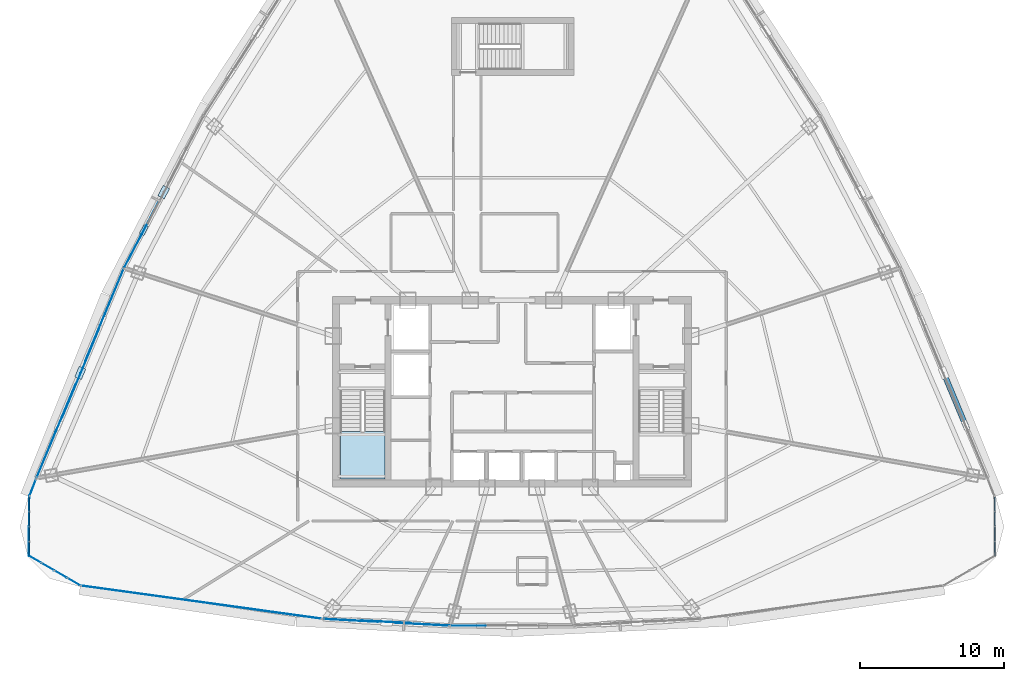
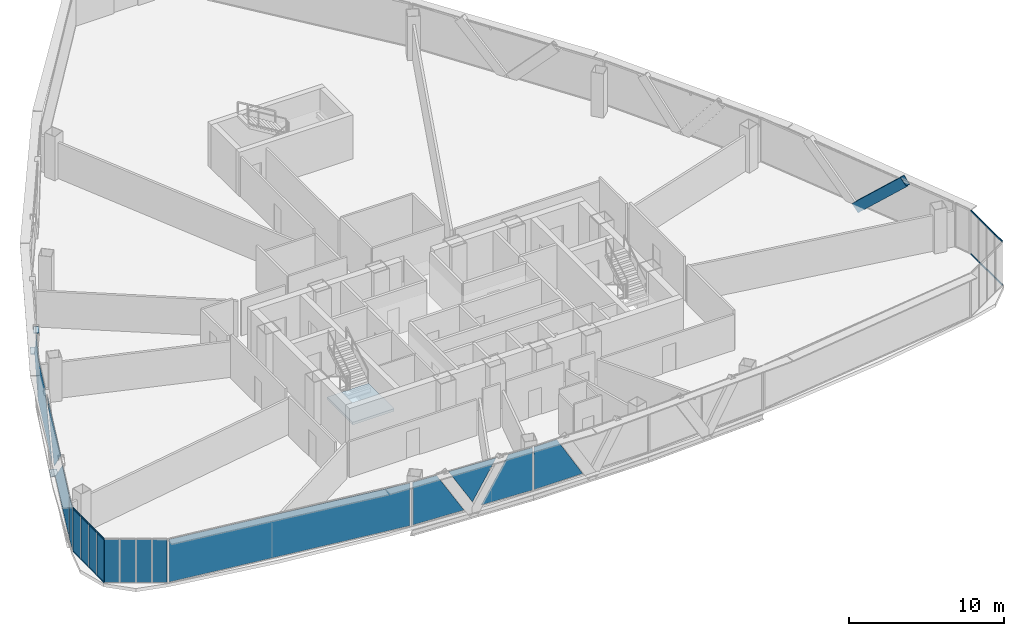
# One storey, part 26 of 36: 21 plates, 17 members, 1 slab, 10 elements without a shape of their own.
"""IFC4 building model written with IfcOpenShell, lengths in metres."""

from ifc_helpers import new_model, si_unit, direction, frame, origin, origin_2d, place, context, subcontext, project, spatial, polyline, rectangle, hollow_rectangle, outline, extrude, source, transform, mapped, material, layer, layer_set, material_profile, profile_set, type_object, element, aggregate, save


model = new_model("IFC4")

# Units and contexts
model_context = context("Model", 3, precision=1e-05, world=origin(), true_north=direction((0.0, 1.0)))
body_context = subcontext(model_context, "Body", "Model", "MODEL_VIEW")
ifc_project = project(units=[si_unit("LENGTHUNIT", "METRE"), si_unit("AREAUNIT", "SQUARE_METRE"), si_unit("VOLUMEUNIT", "CUBIC_METRE"), si_unit("PLANEANGLEUNIT", "RADIAN"), si_unit("MASSUNIT", "GRAM", prefix="KILO"), si_unit("THERMODYNAMICTEMPERATUREUNIT", "KELVIN"), si_unit("POWERUNIT", "WATT")], contexts=[model_context])

# Site, building, storey
site_placement = place(None, origin())
site = spatial("IfcSite", under=ifc_project, at=site_placement, CompositionType="ELEMENT")
building_placement = place(site_placement, origin())
building = spatial("IfcBuilding", under=site, at=building_placement, Name="Yunzhuo Pagoda Commons", CompositionType="ELEMENT")
storey_placement = place(building_placement, frame((0.0, 0.0, 263.179931640625)))
storey = spatial("IfcBuildingStorey", under=building, at=storey_placement, Name="L66", CompositionType="ELEMENT", Elevation=263.179931640625)

# Member
ifc_material_1 = material(Name="Structural steel Q355B", Category="steel")
ifc_material_profile_1 = material_profile(ifc_material_1, hollow_rectangle(XDim=0.3798828125, YDim=0.719970703125, WallThickness=0.02001953125, at=origin_2d()), Name="Structural steel Q355B")
ifc_profile_set_1 = profile_set([ifc_material_profile_1], Name="Structural steel Q355B")
member_type_1 = type_object("IfcMemberType", Name="M-DL3 Brace BOX 720x380x20", PredefinedType="BRACE", material=ifc_profile_set_1)
shared_shape_1 = source(origin(), body_context, "Body", "SweptSolid", [
    extrude(hollow_rectangle(XDim=0.3798828125, YDim=0.719970703125, WallThickness=0.02001953125, at=origin_2d()), origin(), (0.0, 0.0, 1.0), 5.427001953125),
])
member_1_placement = place(storey_placement, frame((77.9326171875, 35.1630859375, -0.260009765625), z_axis=(0.279718465319, -0.670370628849, 0.687285093783), x_axis=(0.922882586681, 0.385081460474, 0.0)))
element("IfcMember", 1, at=member_1_placement, inside=storey, type_object=member_type_1, Name="L66 facade diamond brace F2.1L", PredefinedType="BRACE", context=body_context, shape_type="MappedRepresentation", body=[
    mapped(shared_shape_1, transform((0.0, 0.0, 0.0), scale=1.0)),
])

# Curtain wall, members
ifc_material_2 = material(Name="Anodized aluminium 6063-T6", Category="aluminium")
ifc_layer_1 = layer(ifc_material_2, 0.1298828125)
ifc_layer_set_1 = layer_set([ifc_layer_1], Name="Anodized aluminium 6063-T6")
curtain_wall_type_1 = type_object("IfcCurtainWallType", Name="CW-VTX Rounded Corner Curtain Wall", PredefinedType="NOTDEFINED", material=ifc_layer_set_1)
curtain_wall_1_placement = place(storey_placement, origin())
curtain_wall_1 = element("IfcCurtainWall", 2, at=curtain_wall_1_placement, inside=storey, type_object=curtain_wall_type_1, Name="L66 curtain wall CW-L66-VTX1S1", PredefinedType="NOTDEFINED")
ifc_material_profile_2 = material_profile(ifc_material_2, hollow_rectangle(XDim=0.054931640625, YDim=0.1201171875, WallThickness=0.00341796875, at=origin_2d()), Name="Anodized aluminium 6063-T6")
ifc_profile_set_2 = profile_set([ifc_material_profile_2], Name="Anodized aluminium 6063-T6")
member_type_2 = type_object("IfcMemberType", Name="CW-VTX-T Transom RHS 120x55x3.5", PredefinedType="USERDEFINED", material=ifc_profile_set_2)
shared_shape_2 = source(origin(), body_context, "Body", "SweptSolid", [
    extrude(hollow_rectangle(XDim=0.054931640625, YDim=0.1201171875, WallThickness=0.00341796875, at=origin_2d()), origin(), (0.0, 0.0, 1.0), 0.95556640625),
])
member_2_placement = place(storey_placement, frame((14.533447265625, 26.53271484375, 0.02783203125), z_axis=(-0.003576880542, -0.999993602942, 0.0), x_axis=(0.999993602942, -0.003576880542, 0.0)))
member_2 = element("IfcMember", 3, at=member_2_placement, type_object=member_type_2, Name="CW transom 1.1", ObjectType="TRANSOM", PredefinedType="USERDEFINED", context=body_context, shape_type="MappedRepresentation", body=[
    mapped(shared_shape_2, transform((0.0, 0.0, 0.0), scale=1.0)),
])
member_3_placement = place(storey_placement, frame((14.533447265625, 26.53271484375, 3.442626953125), z_axis=(-0.003576880542, -0.999993602942, 0.0), x_axis=(0.999993602942, -0.003576880542, 0.0)))
member_3 = element("IfcMember", 4, at=member_3_placement, type_object=member_type_2, Name="CW transom 1.2", ObjectType="TRANSOM", PredefinedType="USERDEFINED", context=body_context, shape_type="MappedRepresentation", body=[
    mapped(shared_shape_2, transform((0.0, 0.0, 0.0), scale=1.0)),
])

curtain_wall_2_placement = place(storey_placement, origin())
curtain_wall_2 = element("IfcCurtainWall", 5, at=curtain_wall_2_placement, inside=storey, type_object=curtain_wall_type_1, Name="L66 curtain wall CW-L66-VTX2S2", PredefinedType="NOTDEFINED")
member_4_placement = place(storey_placement, frame((81.469970703125, 25.5771484375, 0.02783203125), z_axis=(-0.003576880542, 0.999993602942, 0.0), x_axis=(-0.999993602942, -0.003576880542, 0.0)))
member_4 = element("IfcMember", 6, at=member_4_placement, type_object=member_type_2, Name="CW transom 4.1", ObjectType="TRANSOM", PredefinedType="USERDEFINED", context=body_context, shape_type="MappedRepresentation", body=[
    mapped(shared_shape_2, transform((0.0, 0.0, 0.0), scale=1.0)),
])
member_5_placement = place(storey_placement, frame((81.469970703125, 25.5771484375, 3.442626953125), z_axis=(-0.003576880542, 0.999993602942, 0.0), x_axis=(-0.999993602942, -0.003576880542, 0.0)))
member_5 = element("IfcMember", 7, at=member_5_placement, type_object=member_type_2, Name="CW transom 4.2", ObjectType="TRANSOM", PredefinedType="USERDEFINED", context=body_context, shape_type="MappedRepresentation", body=[
    mapped(shared_shape_2, transform((0.0, 0.0, 0.0), scale=1.0)),
])

# Member
shared_shape_3 = source(origin(), body_context, "Body", "SweptSolid", [
    extrude(hollow_rectangle(XDim=0.054931640625, YDim=0.1201171875, WallThickness=0.00341796875, at=origin_2d()), origin(), (0.0, 0.0, 1.0), 0.983154296875),
])
member_6_placement = place(storey_placement, frame((14.52978515625, 25.52197265625, 0.02783203125), z_axis=(-0.003476512391, -0.999993956913, 0.0), x_axis=(0.999993956913, -0.003476512391, 0.0)))
member_6 = element("IfcMember", 8, at=member_6_placement, type_object=member_type_2, Name="CW transom 2.1", ObjectType="TRANSOM", PredefinedType="USERDEFINED", context=body_context, shape_type="MappedRepresentation", body=[
    mapped(shared_shape_3, transform((0.0, 0.0, 0.0), scale=1.0)),
])

member_7_placement = place(storey_placement, frame((14.52978515625, 25.52197265625, 3.442626953125), z_axis=(-0.003476512391, -0.999993956913, 0.0), x_axis=(0.999993956913, -0.003476512391, 0.0)))
member_7 = element("IfcMember", 9, at=member_7_placement, type_object=member_type_2, Name="CW transom 2.2", ObjectType="TRANSOM", PredefinedType="USERDEFINED", context=body_context, shape_type="MappedRepresentation", body=[
    mapped(shared_shape_3, transform((0.0, 0.0, 0.0), scale=1.0)),
])

member_8_placement = place(storey_placement, frame((81.4736328125, 24.538818359375, 0.02783203125), z_axis=(-0.003476512391, 0.999993956913, 0.0), x_axis=(-0.999993956913, -0.003476512391, 0.0)))
member_8 = element("IfcMember", 10, at=member_8_placement, type_object=member_type_2, Name="CW transom 3.1", ObjectType="TRANSOM", PredefinedType="USERDEFINED", context=body_context, shape_type="MappedRepresentation", body=[
    mapped(shared_shape_3, transform((0.0, 0.0, 0.0), scale=1.0)),
])

member_9_placement = place(storey_placement, frame((81.4736328125, 24.538818359375, 3.442626953125), z_axis=(-0.003476512391, 0.999993956913, 0.0), x_axis=(-0.999993956913, -0.003476512391, 0.0)))
member_9 = element("IfcMember", 11, at=member_9_placement, type_object=member_type_2, Name="CW transom 3.2", ObjectType="TRANSOM", PredefinedType="USERDEFINED", context=body_context, shape_type="MappedRepresentation", body=[
    mapped(shared_shape_3, transform((0.0, 0.0, 0.0), scale=1.0)),
])

shared_shape_4 = source(origin(), body_context, "Body", "SweptSolid", [
    extrude(hollow_rectangle(XDim=0.054931640625, YDim=0.1201171875, WallThickness=0.00341796875, at=origin_2d()), origin(), (0.0, 0.0, 1.0), 0.9833984375),
])
member_10_placement = place(storey_placement, frame((14.526123046875, 24.48388671875, 0.02783203125), z_axis=(-0.003723906652, -0.999993066236, 0.0), x_axis=(0.999993066236, -0.003723906652, 0.0)))
member_10 = element("IfcMember", 12, at=member_10_placement, type_object=member_type_2, Name="CW transom 3.1", ObjectType="TRANSOM", PredefinedType="USERDEFINED", context=body_context, shape_type="MappedRepresentation", body=[
    mapped(shared_shape_4, transform((0.0, 0.0, 0.0), scale=1.0)),
])

member_11_placement = place(storey_placement, frame((14.526123046875, 24.48388671875, 3.442626953125), z_axis=(-0.003723906652, -0.999993066236, 0.0), x_axis=(0.999993066236, -0.003723906652, 0.0)))
member_11 = element("IfcMember", 13, at=member_11_placement, type_object=member_type_2, Name="CW transom 3.2", ObjectType="TRANSOM", PredefinedType="USERDEFINED", context=body_context, shape_type="MappedRepresentation", body=[
    mapped(shared_shape_4, transform((0.0, 0.0, 0.0), scale=1.0)),
])

member_12_placement = place(storey_placement, frame((81.4775390625, 23.50048828125, 0.02783203125), z_axis=(-0.003723906652, 0.999993066236, 0.0), x_axis=(-0.999993066236, -0.003723906652, 0.0)))
member_12 = element("IfcMember", 14, at=member_12_placement, type_object=member_type_2, Name="CW transom 2.1", ObjectType="TRANSOM", PredefinedType="USERDEFINED", context=body_context, shape_type="MappedRepresentation", body=[
    mapped(shared_shape_4, transform((0.0, 0.0, 0.0), scale=1.0)),
])

member_13_placement = place(storey_placement, frame((81.4775390625, 23.50048828125, 3.442626953125), z_axis=(-0.003723906652, 0.999993066236, 0.0), x_axis=(-0.999993066236, -0.003723906652, 0.0)))
member_13 = element("IfcMember", 15, at=member_13_placement, type_object=member_type_2, Name="CW transom 2.2", ObjectType="TRANSOM", PredefinedType="USERDEFINED", context=body_context, shape_type="MappedRepresentation", body=[
    mapped(shared_shape_4, transform((0.0, 0.0, 0.0), scale=1.0)),
])

shared_shape_5 = source(origin(), body_context, "Body", "SweptSolid", [
    extrude(hollow_rectangle(XDim=0.054931640625, YDim=0.1201171875, WallThickness=0.00341796875, at=origin_2d()), origin(), (0.0, 0.0, 1.0), 0.955810546875),
])
member_14_placement = place(storey_placement, frame((14.522216796875, 23.445556640625, 0.02783203125), z_axis=(-0.003575966919, -0.99999360621, 0.0), x_axis=(0.99999360621, -0.003575966919, 0.0)))
member_14 = element("IfcMember", 16, at=member_14_placement, type_object=member_type_2, Name="CW transom 4.1", ObjectType="TRANSOM", PredefinedType="USERDEFINED", context=body_context, shape_type="MappedRepresentation", body=[
    mapped(shared_shape_5, transform((0.0, 0.0, 0.0), scale=1.0)),
])

member_15_placement = place(storey_placement, frame((14.522216796875, 23.445556640625, 3.442626953125), z_axis=(-0.003575966919, -0.99999360621, 0.0), x_axis=(0.99999360621, -0.003575966919, 0.0)))
member_15 = element("IfcMember", 17, at=member_15_placement, type_object=member_type_2, Name="CW transom 4.2", ObjectType="TRANSOM", PredefinedType="USERDEFINED", context=body_context, shape_type="MappedRepresentation", body=[
    mapped(shared_shape_5, transform((0.0, 0.0, 0.0), scale=1.0)),
])

member_16_placement = place(storey_placement, frame((81.481201171875, 22.48974609375, 0.02783203125), z_axis=(-0.003575966919, 0.99999360621, 0.0), x_axis=(-0.99999360621, -0.003575966919, 0.0)))
member_16 = element("IfcMember", 18, at=member_16_placement, type_object=member_type_2, Name="CW transom 1.1", ObjectType="TRANSOM", PredefinedType="USERDEFINED", context=body_context, shape_type="MappedRepresentation", body=[
    mapped(shared_shape_5, transform((0.0, 0.0, 0.0), scale=1.0)),
])

member_17_placement = place(storey_placement, frame((81.481201171875, 22.48974609375, 3.442626953125), z_axis=(-0.003575966919, 0.99999360621, 0.0), x_axis=(-0.99999360621, -0.003575966919, 0.0)))
member_17 = element("IfcMember", 19, at=member_17_placement, type_object=member_type_2, Name="CW transom 1.2", ObjectType="TRANSOM", PredefinedType="USERDEFINED", context=body_context, shape_type="MappedRepresentation", body=[
    mapped(shared_shape_5, transform((0.0, 0.0, 0.0), scale=1.0)),
])

aggregate(curtain_wall_2, [member_16, member_17, member_12, member_13, member_8, member_9, member_4, member_5])

# Curtain wall, plates
ifc_layer_2 = layer(ifc_material_2, 0.139892578125)
ifc_layer_set_2 = layer_set([ifc_layer_2], Name="Anodized aluminium 6063-T6")
curtain_wall_type_2 = type_object("IfcCurtainWallType", Name="CW-HI High-Zone Ribbon Curtain Wall", PredefinedType="NOTDEFINED", material=ifc_layer_set_2)
curtain_wall_3_placement = place(storey_placement, origin())
curtain_wall_3 = element("IfcCurtainWall", 20, at=curtain_wall_3_placement, inside=storey, type_object=curtain_wall_type_2, Name="L66 curtain wall CW-L66-F1B2", PredefinedType="NOTDEFINED")
ifc_material_3 = material(Name="Tempered low-e double glazing", Category="glass")
ifc_layer_3 = layer(ifc_material_3, 0.02587890625)
ifc_layer_set_3 = layer_set([ifc_layer_3], Name="Tempered low-e double glazing")
plate_type_1 = type_object("IfcPlateType", Name="CW-HI-P Low-E Double Glazing 26", PredefinedType="CURTAIN_PANEL", material=ifc_layer_set_3)
plate_1_placement = place(storey_placement, frame((36.830322265625, 18.02099609375, 1.735107421875), z_axis=(-0.053427477858, -0.998571732331, 0.0), x_axis=(0.998571732331, -0.053427477858, 0.0)))
plate_1 = element("IfcPlate", 21, at=plate_1_placement, type_object=plate_type_1, Name="CW panel 1.1 lite 1", PredefinedType="CURTAIN_PANEL", context=body_context, shape_type="SweptSolid", body=[
    extrude(outline(polyline([(-1.8544921875, -1.679931640625), (1.8544921875, -1.679931640625), (-0.125244140625, 1.679931640625), (-1.8544921875, 1.679931640625), (-1.8544921875, -1.679931640625)])), origin(), (0.0, 0.0, 1.0), 0.028076171875),
])
plate_2_placement = place(storey_placement, frame((39.3095703125, 17.91845703125, 1.951904296875), z_axis=(-0.053427477858, -0.998571732331, 0.0), x_axis=(0.998571732331, -0.053427477858, 0.0)))
plate_2 = element("IfcPlate", 22, at=plate_2_placement, type_object=plate_type_1, Name="CW panel 1.1 lite 2", PredefinedType="CURTAIN_PANEL", context=body_context, shape_type="SweptSolid", body=[
    extrude(outline(polyline([(-1.724365234375, 1.46337890625), (0.0, -1.46337890625), (1.724365234375, 1.46337890625), (-1.724365234375, 1.46337890625)])), origin(), (0.0, 0.0, 1.0), 0.028076171875),
])
plate_3_placement = place(storey_placement, frame((41.78564453125, 17.755859375, 1.735107421875), z_axis=(-0.053427477858, -0.998571732331, 0.0), x_axis=(0.998571732331, -0.053427477858, 0.0)))
plate_3 = element("IfcPlate", 23, at=plate_3_placement, type_object=plate_type_1, Name="CW panel 1.1 lite 3", PredefinedType="CURTAIN_PANEL", context=body_context, shape_type="SweptSolid", body=[
    extrude(outline(polyline([(-1.8544921875, -1.679931640625), (1.8544921875, -1.679931640625), (1.8544921875, 1.679931640625), (0.125244140625, 1.679931640625), (-1.8544921875, -1.679931640625)])), origin(), (0.0, 0.0, 1.0), 0.028076171875),
])
aggregate(curtain_wall_3, [plate_1, plate_2, plate_3])

# Curtain wall, plate
curtain_wall_4_placement = place(storey_placement, origin())
curtain_wall_4 = element("IfcCurtainWall", 24, at=curtain_wall_4_placement, inside=storey, type_object=curtain_wall_type_2, Name="L66 curtain wall CW-L66-F1B3", PredefinedType="NOTDEFINED")
plate_4_placement = place(storey_placement, frame((45.568115234375, 17.65380859375, 1.735107421875), z_axis=(0.0, -1.0, 0.0), x_axis=(1.0, 0.0, 0.0)))
plate_4 = element("IfcPlate", 25, at=plate_4_placement, type_object=plate_type_1, Name="CW panel 1.1 lite 1", PredefinedType="CURTAIN_PANEL", context=body_context, shape_type="SweptSolid", body=[
    extrude(outline(polyline([(-1.811279296875, -1.679931640625), (1.811279296875, -1.679931640625), (-0.126953125, 1.679931640625), (-1.811279296875, 1.679931640625), (-1.811279296875, -1.679931640625)])), origin(), (0.0, 0.0, 1.0), 0.028076171875),
])
aggregate(curtain_wall_4, [plate_4])

curtain_wall_5_placement = place(storey_placement, origin())
curtain_wall_5 = element("IfcCurtainWall", 26, at=curtain_wall_5_placement, inside=storey, type_object=curtain_wall_type_2, Name="L66 curtain wall CW-L66-F3B3", PredefinedType="NOTDEFINED")
plate_5_placement = place(storey_placement, frame((22.3349609375, 44.763671875, 1.735107421875), z_axis=(-0.886066126675, 0.46355886267, 0.0), x_axis=(-0.46355886267, -0.886066126675, 0.0)))
plate_5 = element("IfcPlate", 27, at=plate_5_placement, type_object=plate_type_1, Name="CW panel 1.1 lite 3", PredefinedType="CURTAIN_PANEL", context=body_context, shape_type="SweptSolid", body=[
    extrude(outline(polyline([(-2.570556640625, -1.679931640625), (2.570556640625, -1.679931640625), (2.570556640625, 1.679931640625), (0.103759765625, 1.679931640625), (-2.570556640625, -1.679931640625)])), origin(), (0.0, 0.0, 1.0), 0.028076171875),
])
aggregate(curtain_wall_5, [plate_5])

# Curtain wall, plates
curtain_wall_6_placement = place(storey_placement, origin())
curtain_wall_6 = element("IfcCurtainWall", 28, at=curtain_wall_6_placement, inside=storey, type_object=curtain_wall_type_2, Name="L66 curtain wall CW-L66-F3B4", PredefinedType="NOTDEFINED")
plate_6_placement = place(storey_placement, frame((19.757080078125, 39.177001953125, 1.735107421875), z_axis=(-0.922909845486, 0.385016125772, 0.0), x_axis=(-0.385016125772, -0.922909845486, 0.0)))
plate_6 = element("IfcPlate", 29, at=plate_6_placement, type_object=plate_type_1, Name="CW panel 1.1 lite 1", PredefinedType="CURTAIN_PANEL", context=body_context, shape_type="SweptSolid", body=[
    extrude(outline(polyline([(-3.468994140625, -1.679931640625), (3.468994140625, -1.679931640625), (-0.081787109375, 1.679931640625), (-3.468994140625, 1.679931640625), (-3.468994140625, -1.679931640625)])), origin(), (0.0, 0.0, 1.0), 0.028076171875),
])
plate_7_placement = place(storey_placement, frame((18.108154296875, 35.146240234375, 1.839111328125), z_axis=(-0.922909845486, 0.385016125772, 0.0), x_axis=(-0.385016125772, -0.922909845486, 0.0)))
plate_7 = element("IfcPlate", 30, at=plate_7_placement, type_object=plate_type_1, Name="CW panel 1.1 lite 2", PredefinedType="CURTAIN_PANEL", context=body_context, shape_type="SweptSolid", body=[
    extrude(outline(polyline([(-3.3310546875, 1.575927734375), (0.0, -1.575927734375), (3.3310546875, 1.575927734375), (-3.3310546875, 1.575927734375)])), origin(), (0.0, 0.0, 1.0), 0.028076171875),
])
plate_8_placement = place(storey_placement, frame((16.403564453125, 31.138427734375, 1.735107421875), z_axis=(-0.922909845486, 0.385016125772, 0.0), x_axis=(-0.385016125772, -0.922909845486, 0.0)))
plate_8 = element("IfcPlate", 31, at=plate_8_placement, type_object=plate_type_1, Name="CW panel 1.1 lite 3", PredefinedType="CURTAIN_PANEL", context=body_context, shape_type="SweptSolid", body=[
    extrude(outline(polyline([(-3.468994140625, -1.679931640625), (3.468994140625, -1.679931640625), (3.468994140625, 1.679931640625), (0.081787109375, 1.679931640625), (-3.468994140625, -1.679931640625)])), origin(), (0.0, 0.0, 1.0), 0.028076171875),
])
aggregate(curtain_wall_6, [plate_6, plate_7, plate_8])

# Stair, slab
ifc_material_4 = material(Name="Concrete C40", Category="concrete")
stair_type = type_object("IfcStairType", Name="ST-C1 Core Smokeproof Stair ST1", PredefinedType="HALF_TURN_STAIR", material=ifc_material_4)
stair_placement = place(storey_placement, origin())
stair = element("IfcStair", 32, at=stair_placement, inside=storey, type_object=stair_type, Name="L66 Core smokeproof stair ST1", PredefinedType="HALF_TURN_STAIR")
ifc_layer_4 = layer(ifc_material_4, 0.199951171875)
ifc_layer_set_4 = layer_set([ifc_layer_4], Name="Concrete C40")
slab_type = type_object("IfcSlabType", Name="SL-LND1 Stair Landing Slab 200", PredefinedType="LANDING", material=ifc_layer_set_4)
slab_placement = place(storey_placement, frame((0.0, 0.0, 1.6650390625)))
slab = element("IfcSlab", 33, at=slab_placement, type_object=slab_type, Name="ST1 landing 1", PredefinedType="LANDING", context=body_context, shape_type="SweptSolid", body=[
    extrude(outline(polyline([(36.10009765625, 31.10009765625), (36.10009765625, 27.800048828125), (39.199951171875, 27.800048828125), (39.199951171875, 31.10009765625), (36.10009765625, 31.10009765625)])), origin(), (0.0, 0.0, 1.0), 0.199951171875),
])
aggregate(stair, [slab])

# Plates
ifc_layer_5 = layer(ifc_material_1, 0.028076171875)
ifc_layer_set_5 = layer_set([ifc_layer_5], Name="Structural steel Q355B")
plate_type_2 = type_object("IfcPlateType", Name="SP-ND1 Lattice Node Cap Plate 800x500x28", PredefinedType="USERDEFINED", material=ifc_layer_set_5)
shared_shape_6 = source(origin(), body_context, "Body", "SweptSolid", [
    extrude(rectangle(XDim=0.800048828125, YDim=0.5, at=origin_2d()), origin(), (0.0, 0.0, 1.0), 0.028076171875),
])
for number, where, z_axis, x_axis, name in (
    (34, (23.85546875, 47.700439453125, -0.27392578125), (0.0, 0.0, 1.0), (-0.463558956618, -0.886066077524, 0.0), "L66 diamond node plate F3.2A"),
    (35, (18.0673828125, 35.1630859375, -0.27392578125), (0.0, 0.0, 1.0), (-0.385020291668, -0.922908107562, 0.0), "L66 diamond node plate F3.3A"),
):
    element("IfcPlate", number, at=place(storey_placement, frame(where, z_axis=z_axis, x_axis=x_axis)), inside=storey, type_object=plate_type_2, Name=name, ObjectType="STIFFENER_PLATE", PredefinedType="USERDEFINED", context=body_context, shape_type="MappedRepresentation", body=[
        mapped(shared_shape_6, transform((0.0, 0.0, 0.0), scale=1.0)),
    ])
shared_shape_7 = source(origin(), body_context, "Body", "SweptSolid", [
    extrude(rectangle(XDim=0.699951171875, YDim=0.35009765625, at=origin_2d()), origin(), (0.0, 0.0, 1.0), 0.035888671875),
])
plate_9_placement = place(storey_placement, frame((22.47900390625, 45.070068359375, 3.43212890625), z_axis=(0.0, 0.0, 1.0), x_axis=(-0.463558956618, -0.886066077524, 0.0)))
element("IfcPlate", 36, at=plate_9_placement, inside=storey, type_object=plate_type_2, Name="L66 setback lattice tie plate F3.2R", ObjectType="STIFFENER_PLATE", PredefinedType="USERDEFINED", context=body_context, shape_type="MappedRepresentation", body=[
    mapped(shared_shape_7, transform((0.0, 0.0, 0.0), scale=1.0)),
])

# Curtain wall, plate
curtain_wall_7_placement = place(storey_placement, origin())
curtain_wall_7 = element("IfcCurtainWall", 37, at=curtain_wall_7_placement, inside=storey, type_object=curtain_wall_type_2, Name="L66 curtain wall CW-L66-F1B1", PredefinedType="NOTDEFINED")
shared_shape_8 = source(origin(), body_context, "Body", "SweptSolid", [
    extrude(rectangle(XDim=16.80810546875, YDim=0.028076171875, at=origin_2d()), origin(), (0.0, 0.0, 1.0), 3.360107421875),
])
plate_10_placement = place(storey_placement, frame((26.458251953125, 19.271484375, 0.05517578125), z_axis=(0.0, 0.0, 1.0), x_axis=(0.990695234776, -0.136099051399, 0.0)))
plate_10 = element("IfcPlate", 38, at=plate_10_placement, type_object=plate_type_1, Name="CW panel 1.1", PredefinedType="CURTAIN_PANEL", context=body_context, shape_type="MappedRepresentation", body=[
    mapped(shared_shape_8, transform((0.0, 0.0, 0.0), scale=1.0)),
])
aggregate(curtain_wall_7, [plate_10])

curtain_wall_8_placement = place(storey_placement, origin())
curtain_wall_8 = element("IfcCurtainWall", 39, at=curtain_wall_8_placement, inside=storey, type_object=curtain_wall_type_2, Name="L66 curtain wall CW-L66-F3B5", PredefinedType="NOTDEFINED")
shared_shape_9 = source(origin(), body_context, "Body", "SweptSolid", [
    extrude(rectangle(XDim=1.1962890625, YDim=0.028076171875, at=origin_2d()), origin(), (0.0, 0.0, 1.0), 3.360107421875),
])
plate_11_placement = place(storey_placement, frame((14.769287109375, 27.202392578125, 0.05517578125), z_axis=(0.0, 0.0, 1.0), x_axis=(-0.358123676077, -0.933674157634, 0.0)))
plate_11 = element("IfcPlate", 40, at=plate_11_placement, type_object=plate_type_1, Name="CW panel 1.1", PredefinedType="CURTAIN_PANEL", context=body_context, shape_type="MappedRepresentation", body=[
    mapped(shared_shape_9, transform((0.0, 0.0, 0.0), scale=1.0)),
])
aggregate(curtain_wall_8, [plate_11])

# Plate
ifc_layer_6 = layer(ifc_material_3, 0.02587890625)
ifc_layer_set_6 = layer_set([ifc_layer_6], Name="Tempered low-e double glazing")
plate_type_3 = type_object("IfcPlateType", Name="CW-VTX-P Low-E Double Glazing 26", PredefinedType="CURTAIN_PANEL", material=ifc_layer_set_6)
shared_shape_10 = source(origin(), body_context, "Body", "SweptSolid", [
    extrude(rectangle(XDim=0.955810546875, YDim=0.028076171875, at=origin_2d()), origin(), (0.0, 0.0, 1.0), 3.360107421875),
])
plate_12_placement = place(storey_placement, frame((14.53173828125, 26.054931640625, 0.05517578125), z_axis=(0.0, 0.0, 1.0), x_axis=(-0.003587744782, -0.999993564023, 0.0)))
plate_12 = element("IfcPlate", 41, at=plate_12_placement, type_object=plate_type_3, Name="CW panel 1.1", PredefinedType="CURTAIN_PANEL", context=body_context, shape_type="MappedRepresentation", body=[
    mapped(shared_shape_10, transform((0.0, 0.0, 0.0), scale=1.0)),
])

plate_13_placement = place(storey_placement, frame((14.5205078125, 22.9677734375, 0.05517578125), z_axis=(0.0, 0.0, 1.0), x_axis=(-0.003587744782, -0.999993564023, 0.0)))
plate_13 = element("IfcPlate", 42, at=plate_13_placement, type_object=plate_type_3, Name="CW panel 4.1", PredefinedType="CURTAIN_PANEL", context=body_context, shape_type="MappedRepresentation", body=[
    mapped(shared_shape_10, transform((0.0, 0.0, 0.0), scale=1.0)),
])

# Curtain wall, plates
curtain_wall_9_placement = place(storey_placement, origin())
curtain_wall_9 = element("IfcCurtainWall", 43, at=curtain_wall_9_placement, inside=storey, type_object=curtain_wall_type_1, Name="L66 curtain wall CW-L66-VTX1S2", PredefinedType="NOTDEFINED")
plate_14_placement = place(storey_placement, frame((14.93994140625, 22.2373046875, 0.05517578125), z_axis=(0.0, 0.0, 1.0), x_axis=(0.865431780539, -0.501026778958, 0.0)))
plate_14 = element("IfcPlate", 44, at=plate_14_placement, type_object=plate_type_3, Name="CW panel 1.1", PredefinedType="CURTAIN_PANEL", context=body_context, shape_type="MappedRepresentation", body=[
    mapped(shared_shape_10, transform((0.0, 0.0, 0.0), scale=1.0)),
])
plate_15_placement = place(storey_placement, frame((17.61181640625, 20.6904296875, 0.05517578125), z_axis=(0.0, 0.0, 1.0), x_axis=(0.865431780539, -0.501026778958, 0.0)))
plate_15 = element("IfcPlate", 45, at=plate_15_placement, type_object=plate_type_3, Name="CW panel 4.1", PredefinedType="CURTAIN_PANEL", context=body_context, shape_type="MappedRepresentation", body=[
    mapped(shared_shape_10, transform((0.0, 0.0, 0.0), scale=1.0)),
])

# Plate
shared_shape_11 = source(origin(), body_context, "Body", "SweptSolid", [
    extrude(rectangle(XDim=0.983154296875, YDim=0.028076171875, at=origin_2d()), origin(), (0.0, 0.0, 1.0), 3.360107421875),
])
plate_16_placement = place(storey_placement, frame((14.528076171875, 25.030517578125, 0.05517578125), z_axis=(0.0, 0.0, 1.0), x_axis=(-0.003587744782, -0.999993564023, 0.0)))
plate_16 = element("IfcPlate", 46, at=plate_16_placement, type_object=plate_type_3, Name="CW panel 2.1", PredefinedType="CURTAIN_PANEL", context=body_context, shape_type="MappedRepresentation", body=[
    mapped(shared_shape_11, transform((0.0, 0.0, 0.0), scale=1.0)),
])

plate_17_placement = place(storey_placement, frame((14.524169921875, 23.9921875, 0.05517578125), z_axis=(0.0, 0.0, 1.0), x_axis=(-0.003587744782, -0.999993564023, 0.0)))
plate_17 = element("IfcPlate", 47, at=plate_17_placement, type_object=plate_type_3, Name="CW panel 3.1", PredefinedType="CURTAIN_PANEL", context=body_context, shape_type="MappedRepresentation", body=[
    mapped(shared_shape_11, transform((0.0, 0.0, 0.0), scale=1.0)),
])

aggregate(curtain_wall_1, [member_2, member_3, plate_12, member_6, member_7, plate_16, member_10, member_11, plate_17, member_14, member_15, plate_13])

plate_18_placement = place(storey_placement, frame((15.82666015625, 21.72412109375, 0.05517578125), z_axis=(0.0, 0.0, 1.0), x_axis=(0.865431780539, -0.501026778958, 0.0)))
plate_18 = element("IfcPlate", 48, at=plate_18_placement, type_object=plate_type_3, Name="CW panel 2.1", PredefinedType="CURTAIN_PANEL", context=body_context, shape_type="MappedRepresentation", body=[
    mapped(shared_shape_11, transform((0.0, 0.0, 0.0), scale=1.0)),
])

plate_19_placement = place(storey_placement, frame((16.72509765625, 21.203857421875, 0.05517578125), z_axis=(0.0, 0.0, 1.0), x_axis=(0.865431780539, -0.501026778958, 0.0)))
plate_19 = element("IfcPlate", 49, at=plate_19_placement, type_object=plate_type_3, Name="CW panel 3.1", PredefinedType="CURTAIN_PANEL", context=body_context, shape_type="MappedRepresentation", body=[
    mapped(shared_shape_11, transform((0.0, 0.0, 0.0), scale=1.0)),
])

aggregate(curtain_wall_9, [plate_14, plate_18, plate_19, plate_15])

save(model, "model.ifc")
